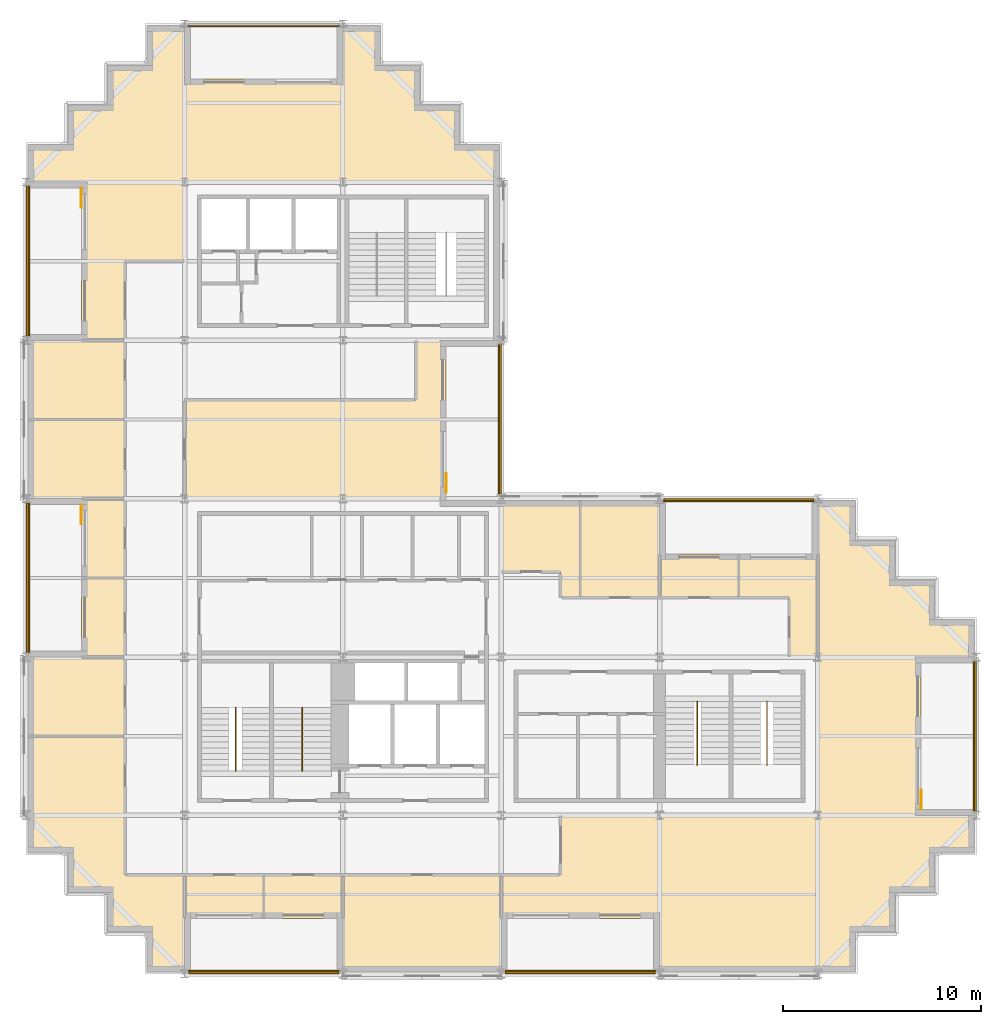
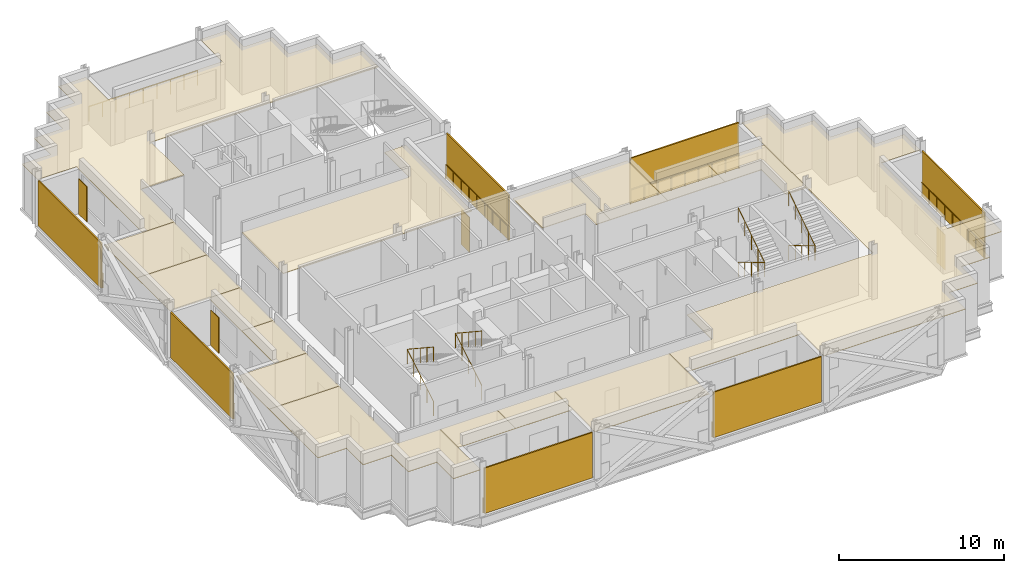
# One storey, part 10 of 11: 16 coverings, 12 railings, 11 shading devices.
"""IFC4 building model written with IfcOpenShell, lengths in metres."""

from ifc_helpers import new_model, si_unit, direction, frame, origin, origin_2d, place, context, subcontext, project, spatial, polyline, rectangle, circle, outline, extrude, material, layer, layer_set, type_object, element, save


model = new_model("IFC4")

# Units and contexts
model_context = context("Model", 3, precision=1e-05, world=origin(), true_north=direction((0.0, 1.0)))
body_context = subcontext(model_context, "Body", "Model", "MODEL_VIEW")
ifc_project = project(units=[si_unit("LENGTHUNIT", "METRE"), si_unit("AREAUNIT", "SQUARE_METRE"), si_unit("VOLUMEUNIT", "CUBIC_METRE"), si_unit("PLANEANGLEUNIT", "RADIAN"), si_unit("MASSUNIT", "GRAM", prefix="KILO")], contexts=[model_context])

# Site, building, storey
site_placement = place(None, origin())
site = spatial("IfcSite", under=ifc_project, at=site_placement, CompositionType="ELEMENT")
building_placement = place(site_placement, origin())
building = spatial("IfcBuilding", under=site, at=building_placement, Name="Immortelle Media Tower", CompositionType="ELEMENT")
storey_placement = place(building_placement, frame((0.0, 0.0, 141.0)))
storey = spatial("IfcBuildingStorey", under=building, at=storey_placement, Name="L28", CompositionType="ELEMENT", Elevation=141.0)

# Railings
ifc_material_1 = material(Name="Powder-coated aluminium fretwork panel, laminated glass backing", Category="aluminium")
railing_type_1 = type_object("IfcRailingType", Name="Fretwork balustrade 1100", PredefinedType="BALUSTRADE", material=ifc_material_1)
railing_1_placement = place(storey_placement, frame((8.20556640625, 0.139892578125, 0.0)))
element("IfcRailing", 1, at=railing_1_placement, inside=storey, type_object=railing_type_1, Name="Fretwork balustrade L28 S0", PredefinedType="BALUSTRADE", context=body_context, shape_type="SweptSolid", body=[
    extrude(circle(Radius=0.02490234375, at=origin_2d()), frame((0.0, 0.0, 1.0751953125), z_axis=(1.0, 0.0, 0.0), x_axis=(0.0, 1.0, 0.0)), (0.0, 0.0, 1.0), 7.58251953125),
    extrude(circle(Radius=0.02001953125, at=origin_2d()), origin(), (0.0, 0.0, 1.0), 1.050048828125),
    extrude(circle(Radius=0.02001953125, at=origin_2d()), frame((0.94775390625, 0.0, 0.0)), (0.0, 0.0, 1.0), 1.050048828125),
    extrude(circle(Radius=0.02001953125, at=origin_2d()), frame((1.8955078125, 0.0, 0.0)), (0.0, 0.0, 1.0), 1.050048828125),
    extrude(circle(Radius=0.02001953125, at=origin_2d()), frame((2.843505859375, 0.0, 0.0)), (0.0, 0.0, 1.0), 1.050048828125),
    extrude(circle(Radius=0.02001953125, at=origin_2d()), frame((3.791259765625, 0.0, 0.0)), (0.0, 0.0, 1.0), 1.050048828125),
    extrude(circle(Radius=0.02001953125, at=origin_2d()), frame((4.739013671875, 0.0, 0.0)), (0.0, 0.0, 1.0), 1.050048828125),
    extrude(circle(Radius=0.02001953125, at=origin_2d()), frame((5.68701171875, 0.0, 0.0)), (0.0, 0.0, 1.0), 1.050048828125),
    extrude(circle(Radius=0.02001953125, at=origin_2d()), frame((6.634765625, 0.0, 0.0)), (0.0, 0.0, 1.0), 1.050048828125),
    extrude(circle(Radius=0.02001953125, at=origin_2d()), frame((7.58251953125, 0.0, 0.0)), (0.0, 0.0, 1.0), 1.050048828125),
])
railing_2_placement = place(storey_placement, frame((24.2119140625, 0.139892578125, 0.0)))
element("IfcRailing", 2, at=railing_2_placement, inside=storey, type_object=railing_type_1, Name="Fretwork balustrade L28 S2", PredefinedType="BALUSTRADE", context=body_context, shape_type="SweptSolid", body=[
    extrude(circle(Radius=0.02490234375, at=origin_2d()), frame((0.0, 0.0, 1.0751953125), z_axis=(1.0, 0.0, 0.0), x_axis=(0.0, 1.0, 0.0)), (0.0, 0.0, 1.0), 7.576171875),
    extrude(circle(Radius=0.02001953125, at=origin_2d()), origin(), (0.0, 0.0, 1.0), 1.050048828125),
    extrude(circle(Radius=0.02001953125, at=origin_2d()), frame((0.947021484375, 0.0, 0.0)), (0.0, 0.0, 1.0), 1.050048828125),
    extrude(circle(Radius=0.02001953125, at=origin_2d()), frame((1.89404296875, 0.0, 0.0)), (0.0, 0.0, 1.0), 1.050048828125),
    extrude(circle(Radius=0.02001953125, at=origin_2d()), frame((2.841064453125, 0.0, 0.0)), (0.0, 0.0, 1.0), 1.050048828125),
    extrude(circle(Radius=0.02001953125, at=origin_2d()), frame((3.7880859375, 0.0, 0.0)), (0.0, 0.0, 1.0), 1.050048828125),
    extrude(circle(Radius=0.02001953125, at=origin_2d()), frame((4.735107421875, 0.0, 0.0)), (0.0, 0.0, 1.0), 1.050048828125),
    extrude(circle(Radius=0.02001953125, at=origin_2d()), frame((5.68212890625, 0.0, 0.0)), (0.0, 0.0, 1.0), 1.050048828125),
    extrude(circle(Radius=0.02001953125, at=origin_2d()), frame((6.629150390625, 0.0, 0.0)), (0.0, 0.0, 1.0), 1.050048828125),
    extrude(circle(Radius=0.02001953125, at=origin_2d()), frame((7.576171875, 0.0, 0.0)), (0.0, 0.0, 1.0), 1.050048828125),
])
railing_3_placement = place(storey_placement, frame((47.860107421875, 8.217041015625, 0.0)))
element("IfcRailing", 3, at=railing_3_placement, inside=storey, type_object=railing_type_1, Name="Fretwork balustrade L28 E0", PredefinedType="BALUSTRADE", context=body_context, shape_type="SweptSolid", body=[
    extrude(circle(Radius=0.02490234375, at=origin_2d()), frame((0.0, 0.0, 1.0751953125), z_axis=(0.0, 1.0, 0.0), x_axis=(-1.0, 0.0, 0.0)), (0.0, 0.0, 1.0), 7.56591796875),
    extrude(circle(Radius=0.02001953125, at=origin_2d()), origin(), (0.0, 0.0, 1.0), 1.050048828125),
    extrude(circle(Radius=0.02001953125, at=origin_2d()), frame((0.0, 0.94580078125, 0.0)), (0.0, 0.0, 1.0), 1.050048828125),
    extrude(circle(Radius=0.02001953125, at=origin_2d()), frame((0.0, 1.8916015625, 0.0)), (0.0, 0.0, 1.0), 1.050048828125),
    extrude(circle(Radius=0.02001953125, at=origin_2d()), frame((0.0, 2.837158203125, 0.0)), (0.0, 0.0, 1.0), 1.050048828125),
    extrude(circle(Radius=0.02001953125, at=origin_2d()), frame((0.0, 3.782958984375, 0.0)), (0.0, 0.0, 1.0), 1.050048828125),
    extrude(circle(Radius=0.02001953125, at=origin_2d()), frame((0.0, 4.728759765625, 0.0)), (0.0, 0.0, 1.0), 1.050048828125),
    extrude(circle(Radius=0.02001953125, at=origin_2d()), frame((0.0, 5.67431640625, 0.0)), (0.0, 0.0, 1.0), 1.050048828125),
    extrude(circle(Radius=0.02001953125, at=origin_2d()), frame((0.0, 6.6201171875, 0.0)), (0.0, 0.0, 1.0), 1.050048828125),
    extrude(circle(Radius=0.02001953125, at=origin_2d()), frame((0.0, 7.56591796875, 0.0)), (0.0, 0.0, 1.0), 1.050048828125),
])
railing_4_placement = place(storey_placement, frame((39.79443359375, 23.860107421875, 0.0)))
element("IfcRailing", 4, at=railing_4_placement, inside=storey, type_object=railing_type_1, Name="Fretwork balustrade L28 N0", PredefinedType="BALUSTRADE", context=body_context, shape_type="SweptSolid", body=[
    extrude(circle(Radius=0.02490234375, at=origin_2d()), frame((0.0, 0.0, 1.0751953125), z_axis=(-1.0, 0.0, 0.0), x_axis=(0.0, -1.0, 0.0)), (0.0, 0.0, 1.0), 7.58251953125),
    extrude(circle(Radius=0.02001953125, at=origin_2d()), origin(), (0.0, 0.0, 1.0), 1.050048828125),
    extrude(circle(Radius=0.02001953125, at=origin_2d()), frame((-0.94775390625, 0.0, 0.0)), (0.0, 0.0, 1.0), 1.050048828125),
    extrude(circle(Radius=0.02001953125, at=origin_2d()), frame((-1.8955078125, 0.0, 0.0)), (0.0, 0.0, 1.0), 1.050048828125),
    extrude(circle(Radius=0.02001953125, at=origin_2d()), frame((-2.843505859375, 0.0, 0.0)), (0.0, 0.0, 1.0), 1.050048828125),
    extrude(circle(Radius=0.02001953125, at=origin_2d()), frame((-3.791259765625, 0.0, 0.0)), (0.0, 0.0, 1.0), 1.050048828125),
    extrude(circle(Radius=0.02001953125, at=origin_2d()), frame((-4.739013671875, 0.0, 0.0)), (0.0, 0.0, 1.0), 1.050048828125),
    extrude(circle(Radius=0.02001953125, at=origin_2d()), frame((-5.68701171875, 0.0, 0.0)), (0.0, 0.0, 1.0), 1.050048828125),
    extrude(circle(Radius=0.02001953125, at=origin_2d()), frame((-6.634765625, 0.0, 0.0)), (0.0, 0.0, 1.0), 1.050048828125),
    extrude(circle(Radius=0.02001953125, at=origin_2d()), frame((-7.58251953125, 0.0, 0.0)), (0.0, 0.0, 1.0), 1.050048828125),
])
railing_5_placement = place(storey_placement, frame((23.860107421875, 24.237548828125, 0.0)))
element("IfcRailing", 5, at=railing_5_placement, inside=storey, type_object=railing_type_1, Name="Fretwork balustrade L28 E0", PredefinedType="BALUSTRADE", context=body_context, shape_type="SweptSolid", body=[
    extrude(circle(Radius=0.02490234375, at=origin_2d()), frame((0.0, 0.0, 1.0751953125), z_axis=(0.0, 1.0, 0.0), x_axis=(-1.0, 0.0, 0.0)), (0.0, 0.0, 1.0), 7.56298828125),
    extrude(circle(Radius=0.02001953125, at=origin_2d()), origin(), (0.0, 0.0, 1.0), 1.050048828125),
    extrude(circle(Radius=0.02001953125, at=origin_2d()), frame((0.0, 0.9453125, 0.0)), (0.0, 0.0, 1.0), 1.050048828125),
    extrude(circle(Radius=0.02001953125, at=origin_2d()), frame((0.0, 1.890625, 0.0)), (0.0, 0.0, 1.0), 1.050048828125),
    extrude(circle(Radius=0.02001953125, at=origin_2d()), frame((0.0, 2.836181640625, 0.0)), (0.0, 0.0, 1.0), 1.050048828125),
    extrude(circle(Radius=0.02001953125, at=origin_2d()), frame((0.0, 3.781494140625, 0.0)), (0.0, 0.0, 1.0), 1.050048828125),
    extrude(circle(Radius=0.02001953125, at=origin_2d()), frame((0.0, 4.726806640625, 0.0)), (0.0, 0.0, 1.0), 1.050048828125),
    extrude(circle(Radius=0.02001953125, at=origin_2d()), frame((0.0, 5.67236328125, 0.0)), (0.0, 0.0, 1.0), 1.050048828125),
    extrude(circle(Radius=0.02001953125, at=origin_2d()), frame((0.0, 6.61767578125, 0.0)), (0.0, 0.0, 1.0), 1.050048828125),
    extrude(circle(Radius=0.02001953125, at=origin_2d()), frame((0.0, 7.56298828125, 0.0)), (0.0, 0.0, 1.0), 1.050048828125),
])
railing_6_placement = place(storey_placement, frame((15.802978515625, 47.860107421875, 0.0)))
element("IfcRailing", 6, at=railing_6_placement, inside=storey, type_object=railing_type_1, Name="Fretwork balustrade L28 N0", PredefinedType="BALUSTRADE", context=body_context, shape_type="SweptSolid", body=[
    extrude(circle(Radius=0.02490234375, at=origin_2d()), frame((0.0, 0.0, 1.0751953125), z_axis=(-1.0, 0.0, 0.0), x_axis=(0.0, -1.0, 0.0)), (0.0, 0.0, 1.0), 7.60595703125),
    extrude(circle(Radius=0.02001953125, at=origin_2d()), origin(), (0.0, 0.0, 1.0), 1.050048828125),
    extrude(circle(Radius=0.02001953125, at=origin_2d()), frame((-0.95068359375, 0.0, 0.0)), (0.0, 0.0, 1.0), 1.050048828125),
    extrude(circle(Radius=0.02001953125, at=origin_2d()), frame((-1.9013671875, 0.0, 0.0)), (0.0, 0.0, 1.0), 1.050048828125),
    extrude(circle(Radius=0.02001953125, at=origin_2d()), frame((-2.852294921875, 0.0, 0.0)), (0.0, 0.0, 1.0), 1.050048828125),
    extrude(circle(Radius=0.02001953125, at=origin_2d()), frame((-3.802978515625, 0.0, 0.0)), (0.0, 0.0, 1.0), 1.050048828125),
    extrude(circle(Radius=0.02001953125, at=origin_2d()), frame((-4.753662109375, 0.0, 0.0)), (0.0, 0.0, 1.0), 1.050048828125),
    extrude(circle(Radius=0.02001953125, at=origin_2d()), frame((-5.70458984375, 0.0, 0.0)), (0.0, 0.0, 1.0), 1.050048828125),
    extrude(circle(Radius=0.02001953125, at=origin_2d()), frame((-6.6552734375, 0.0, 0.0)), (0.0, 0.0, 1.0), 1.050048828125),
    extrude(circle(Radius=0.02001953125, at=origin_2d()), frame((-7.60595703125, 0.0, 0.0)), (0.0, 0.0, 1.0), 1.050048828125),
])
railing_7_placement = place(storey_placement, frame((0.139892578125, 39.81201171875, 0.0)))
element("IfcRailing", 7, at=railing_7_placement, inside=storey, type_object=railing_type_1, Name="Fretwork balustrade L28 W0", PredefinedType="BALUSTRADE", context=body_context, shape_type="SweptSolid", body=[
    extrude(circle(Radius=0.02490234375, at=origin_2d()), frame((0.0, 0.0, 1.0751953125), z_axis=(0.0, -1.0, 0.0), x_axis=(1.0, 0.0, 0.0)), (0.0, 0.0, 1.0), 7.612548828125),
    extrude(circle(Radius=0.02001953125, at=origin_2d()), origin(), (0.0, 0.0, 1.0), 1.050048828125),
    extrude(circle(Radius=0.02001953125, at=origin_2d()), frame((0.0, -0.95166015625, 0.0)), (0.0, 0.0, 1.0), 1.050048828125),
    extrude(circle(Radius=0.02001953125, at=origin_2d()), frame((0.0, -1.903076171875, 0.0)), (0.0, 0.0, 1.0), 1.050048828125),
    extrude(circle(Radius=0.02001953125, at=origin_2d()), frame((0.0, -2.854736328125, 0.0)), (0.0, 0.0, 1.0), 1.050048828125),
    extrude(circle(Radius=0.02001953125, at=origin_2d()), frame((0.0, -3.80615234375, 0.0)), (0.0, 0.0, 1.0), 1.050048828125),
    extrude(circle(Radius=0.02001953125, at=origin_2d()), frame((0.0, -4.7578125, 0.0)), (0.0, 0.0, 1.0), 1.050048828125),
    extrude(circle(Radius=0.02001953125, at=origin_2d()), frame((0.0, -5.70947265625, 0.0)), (0.0, 0.0, 1.0), 1.050048828125),
    extrude(circle(Radius=0.02001953125, at=origin_2d()), frame((0.0, -6.660888671875, 0.0)), (0.0, 0.0, 1.0), 1.050048828125),
    extrude(circle(Radius=0.02001953125, at=origin_2d()), frame((0.0, -7.612548828125, 0.0)), (0.0, 0.0, 1.0), 1.050048828125),
])
railing_8_placement = place(storey_placement, frame((0.139892578125, 23.800537109375, 0.0)))
element("IfcRailing", 8, at=railing_8_placement, inside=storey, type_object=railing_type_1, Name="Fretwork balustrade L28 W2", PredefinedType="BALUSTRADE", context=body_context, shape_type="SweptSolid", body=[
    extrude(circle(Radius=0.02490234375, at=origin_2d()), frame((0.0, 0.0, 1.0751953125), z_axis=(0.0, -1.0, 0.0), x_axis=(1.0, 0.0, 0.0)), (0.0, 0.0, 1.0), 7.56298828125),
    extrude(circle(Radius=0.02001953125, at=origin_2d()), origin(), (0.0, 0.0, 1.0), 1.050048828125),
    extrude(circle(Radius=0.02001953125, at=origin_2d()), frame((0.0, -0.9453125, 0.0)), (0.0, 0.0, 1.0), 1.050048828125),
    extrude(circle(Radius=0.02001953125, at=origin_2d()), frame((0.0, -1.890625, 0.0)), (0.0, 0.0, 1.0), 1.050048828125),
    extrude(circle(Radius=0.02001953125, at=origin_2d()), frame((0.0, -2.836181640625, 0.0)), (0.0, 0.0, 1.0), 1.050048828125),
    extrude(circle(Radius=0.02001953125, at=origin_2d()), frame((0.0, -3.781494140625, 0.0)), (0.0, 0.0, 1.0), 1.050048828125),
    extrude(circle(Radius=0.02001953125, at=origin_2d()), frame((0.0, -4.726806640625, 0.0)), (0.0, 0.0, 1.0), 1.050048828125),
    extrude(circle(Radius=0.02001953125, at=origin_2d()), frame((0.0, -5.67236328125, 0.0)), (0.0, 0.0, 1.0), 1.050048828125),
    extrude(circle(Radius=0.02001953125, at=origin_2d()), frame((0.0, -6.61767578125, 0.0)), (0.0, 0.0, 1.0), 1.050048828125),
    extrude(circle(Radius=0.02001953125, at=origin_2d()), frame((0.0, -7.56298828125, 0.0)), (0.0, 0.0, 1.0), 1.050048828125),
])

# Shading devices
ifc_material_2 = material(Name="Pale aluminium louvre blades", Category="aluminium")
ifc_layer_1 = layer(ifc_material_2, 0.10009765625)
ifc_layer_set_1 = layer_set([ifc_layer_1], Name="Pale aluminium louvre blades")
shading_device_type_1 = type_object("IfcShadingDeviceType", Name="Jalousie screen 100", PredefinedType="JALOUSIE", material=ifc_layer_set_1)
shading_device_1_placement = place(storey_placement, frame((11.996826171875, 0.050048828125, 0.0), z_axis=(0.0, 0.0, 1.0), x_axis=(1.0, 0.0, 0.0)))
element("IfcShadingDevice", 9, at=shading_device_1_placement, inside=storey, type_object=shading_device_type_1, Name="Jalousie screen L28 S0", PredefinedType="JALOUSIE", context=body_context, shape_type="SweptSolid", body=[
    extrude(rectangle(XDim=7.58251953125, YDim=0.10009765625, at=origin_2d()), origin(), (0.0, 0.0, 1.0), 3.35693359375),
])
shading_device_2_placement = place(storey_placement, frame((28.0, 0.050048828125, 0.0), z_axis=(0.0, 0.0, 1.0), x_axis=(1.0, 0.0, 0.0)))
element("IfcShadingDevice", 10, at=shading_device_2_placement, inside=storey, type_object=shading_device_type_1, Name="Jalousie screen L28 S2", PredefinedType="JALOUSIE", context=body_context, shape_type="SweptSolid", body=[
    extrude(rectangle(XDim=7.575927734375, YDim=0.10009765625, at=origin_2d()), origin(), (0.0, 0.0, 1.0), 3.35693359375),
])
shading_device_3_placement = place(storey_placement, frame((47.949951171875, 12.0, 0.0), z_axis=(0.0, 0.0, 1.0), x_axis=(0.0, 1.0, 0.0)))
element("IfcShadingDevice", 11, at=shading_device_3_placement, inside=storey, type_object=shading_device_type_1, Name="Jalousie screen L28 E0", PredefinedType="JALOUSIE", context=body_context, shape_type="SweptSolid", body=[
    extrude(rectangle(XDim=7.56591796875, YDim=0.10009765625, at=origin_2d()), origin(), (0.0, 0.0, 1.0), 3.35693359375),
])
shading_device_4_placement = place(storey_placement, frame((36.003173828125, 23.949951171875, 0.0), z_axis=(0.0, 0.0, 1.0), x_axis=(-1.0, 0.0, 0.0)))
element("IfcShadingDevice", 12, at=shading_device_4_placement, inside=storey, type_object=shading_device_type_1, Name="Jalousie screen L28 N0", PredefinedType="JALOUSIE", context=body_context, shape_type="SweptSolid", body=[
    extrude(rectangle(XDim=7.58251953125, YDim=0.10009765625, at=origin_2d()), origin(), (0.0, 0.0, 1.0), 3.35693359375),
])
shading_device_5_placement = place(storey_placement, frame((23.949951171875, 28.01904296875, 0.0), z_axis=(0.0, 0.0, 1.0), x_axis=(0.0, 1.0, 0.0)))
element("IfcShadingDevice", 13, at=shading_device_5_placement, inside=storey, type_object=shading_device_type_1, Name="Jalousie screen L28 E0", PredefinedType="JALOUSIE", context=body_context, shape_type="SweptSolid", body=[
    extrude(rectangle(XDim=7.56298828125, YDim=0.10009765625, at=origin_2d()), origin(), (0.0, 0.0, 1.0), 3.35693359375),
])
shading_device_6_placement = place(storey_placement, frame((0.050048828125, 36.005859375, 0.0), z_axis=(0.0, 0.0, 1.0), x_axis=(0.0, -1.0, 0.0)))
element("IfcShadingDevice", 14, at=shading_device_6_placement, inside=storey, type_object=shading_device_type_1, Name="Jalousie screen L28 W0", PredefinedType="JALOUSIE", context=body_context, shape_type="SweptSolid", body=[
    extrude(rectangle(XDim=7.612548828125, YDim=0.10009765625, at=origin_2d()), origin(), (0.0, 0.0, 1.0), 3.35693359375),
])
shading_device_7_placement = place(storey_placement, frame((0.050048828125, 20.01904296875, 0.0), z_axis=(0.0, 0.0, 1.0), x_axis=(0.0, -1.0, 0.0)))
element("IfcShadingDevice", 15, at=shading_device_7_placement, inside=storey, type_object=shading_device_type_1, Name="Jalousie screen L28 W2", PredefinedType="JALOUSIE", context=body_context, shape_type="SweptSolid", body=[
    extrude(rectangle(XDim=7.56298828125, YDim=0.10009765625, at=origin_2d()), origin(), (0.0, 0.0, 1.0), 3.35693359375),
])
ifc_material_3 = material(Name="Pale aluminium louvre blades in a folding frame", Category="aluminium")
ifc_layer_2 = layer(ifc_material_3, 0.050048828125)
ifc_layer_set_2 = layer_set([ifc_layer_2], Name="Pale aluminium louvre blades in a folding frame")
shading_device_type_2 = type_object("IfcShadingDeviceType", Name="Louvred loggia shutter", PredefinedType="SHUTTER", material=ifc_layer_set_2)
for number, where, z_axis, x_axis, name in (
    (16, (45.22509765625, 8.800048828125, 0.0), (0.0, 0.0, 1.0), (0.0, 1.0, 0.0), "Loggia shutter L28 E0"),
    (17, (21.22509765625, 24.800048828125, 0.0), (0.0, 0.0, 1.0), (0.0, 1.0, 0.0), "Loggia shutter L28 E0"),
    (18, (2.77490234375, 39.199951171875, 0.0), (0.0, 0.0, 1.0), (0.0, -1.0, 0.0), "Loggia shutter L28 W0"),
    (19, (2.77490234375, 23.199951171875, 0.0), (0.0, 0.0, 1.0), (0.0, -1.0, 0.0), "Loggia shutter L28 W2"),
):
    element("IfcShadingDevice", number, at=place(storey_placement, frame(where, z_axis=z_axis, x_axis=x_axis)), inside=storey, type_object=shading_device_type_2, Name=name, PredefinedType="SHUTTER", context=body_context, shape_type="SweptSolid", body=[
        extrude(rectangle(XDim=1.0, YDim=0.050048828125, at=origin_2d()), origin(), (0.0, 0.0, 1.0), 2.60009765625),
    ])

# Railings
ifc_material_4 = material(Name="Stainless steel AISI 316", Category="steel")
railing_type_2 = type_object("IfcRailingType", Name="Stair guard 1100", PredefinedType="GUARDRAIL", material=ifc_material_4)
for number, where, name in (
    (20, (10.574951171875, 10.25, 0.175048828125), "Stair guard SW1"),
    (21, (13.949951171875, 10.25, 0.175048828125), "Stair guard SW2"),
):
    element("IfcRailing", number, at=place(storey_placement, frame(where)), inside=storey, type_object=railing_type_2, Name=name, PredefinedType="GUARDRAIL", context=body_context, shape_type="SweptSolid", body=[
        extrude(circle(Radius=0.02392578125, at=origin_2d()), frame((0.0, 0.0, 1.076171875), z_axis=(0.0, 0.856177665481, 0.516681531633), x_axis=(-1.0, 0.0, 0.0)), (0.0, 0.0, 1.0), 3.725830078125),
        extrude(circle(Radius=0.02392578125, at=origin_2d()), frame((0.0, 3.18994140625, 3.0009765625), z_axis=(0.0, -0.835271834381, 0.549837214719), x_axis=(1.0, 0.0, 0.0)), (0.0, 0.0, 1.0), 3.819091796875),
        extrude(circle(Radius=0.02099609375, at=origin_2d()), origin(), (0.0, 0.0, 1.0), 1.052001953125),
        extrude(circle(Radius=0.02099609375, at=origin_2d()), frame((0.0, 0.79736328125, 0.481201171875)), (0.0, 0.0, 1.0), 1.052001953125),
        extrude(circle(Radius=0.02099609375, at=origin_2d()), frame((0.0, 1.594970703125, 0.96240234375)), (0.0, 0.0, 1.0), 1.052001953125),
        extrude(circle(Radius=0.02099609375, at=origin_2d()), frame((0.0, 2.392578125, 1.44384765625)), (0.0, 0.0, 1.0), 1.052001953125),
        extrude(circle(Radius=0.02099609375, at=origin_2d()), frame((0.0, 3.18994140625, 1.925048828125)), (0.0, 0.0, 1.0), 1.052001953125),
        extrude(circle(Radius=0.02099609375, at=origin_2d()), frame((0.0, 2.392578125, 2.449951171875)), (0.0, 0.0, 1.0), 1.052001953125),
        extrude(circle(Radius=0.02099609375, at=origin_2d()), frame((0.0, 1.594970703125, 2.97509765625)), (0.0, 0.0, 1.0), 1.052001953125),
        extrude(circle(Radius=0.02099609375, at=origin_2d()), frame((0.0, 0.79736328125, 3.5)), (0.0, 0.0, 1.0), 1.052001953125),
        extrude(circle(Radius=0.02099609375, at=origin_2d()), frame((0.0, 0.0, 4.02490234375)), (0.0, 0.0, 1.0), 1.052001953125),
    ])
for number, where, name in (
    (22, (33.89990234375, 13.75, 0.175048828125), "Stair guard SE1"),
    (23, (37.425048828125, 13.75, 0.175048828125), "Stair guard SE2"),
):
    element("IfcRailing", number, at=place(storey_placement, frame(where)), inside=storey, type_object=railing_type_2, Name=name, PredefinedType="GUARDRAIL", context=body_context, shape_type="SweptSolid", body=[
        extrude(circle(Radius=0.02392578125, at=origin_2d()), frame((0.0, 0.0, 1.076171875), z_axis=(0.0, -0.856177665481, 0.516681531633), x_axis=(1.0, 0.0, 0.0)), (0.0, 0.0, 1.0), 3.725830078125),
        extrude(circle(Radius=0.02392578125, at=origin_2d()), frame((0.0, -3.18994140625, 3.0009765625), z_axis=(0.0, 0.835271834381, 0.549837214719), x_axis=(-1.0, 0.0, 0.0)), (0.0, 0.0, 1.0), 3.819091796875),
        extrude(circle(Radius=0.02099609375, at=origin_2d()), origin(), (0.0, 0.0, 1.0), 1.052001953125),
        extrude(circle(Radius=0.02099609375, at=origin_2d()), frame((0.0, -0.79736328125, 0.481201171875)), (0.0, 0.0, 1.0), 1.052001953125),
        extrude(circle(Radius=0.02099609375, at=origin_2d()), frame((0.0, -1.594970703125, 0.96240234375)), (0.0, 0.0, 1.0), 1.052001953125),
        extrude(circle(Radius=0.02099609375, at=origin_2d()), frame((0.0, -2.392578125, 1.44384765625)), (0.0, 0.0, 1.0), 1.052001953125),
        extrude(circle(Radius=0.02099609375, at=origin_2d()), frame((0.0, -3.18994140625, 1.925048828125)), (0.0, 0.0, 1.0), 1.052001953125),
        extrude(circle(Radius=0.02099609375, at=origin_2d()), frame((0.0, -2.392578125, 2.449951171875)), (0.0, 0.0, 1.0), 1.052001953125),
        extrude(circle(Radius=0.02099609375, at=origin_2d()), frame((0.0, -1.594970703125, 2.97509765625)), (0.0, 0.0, 1.0), 1.052001953125),
        extrude(circle(Radius=0.02099609375, at=origin_2d()), frame((0.0, -0.79736328125, 3.5)), (0.0, 0.0, 1.0), 1.052001953125),
        extrude(circle(Radius=0.02099609375, at=origin_2d()), frame((0.0, 0.0, 4.02490234375)), (0.0, 0.0, 1.0), 1.052001953125),
    ])

# Coverings
ifc_material_5 = material(Name="Mineral fibre tile ceiling")
ifc_layer_3 = layer(ifc_material_5, 0.050048828125)
ifc_layer_set_3 = layer_set([ifc_layer_3], Name="Mineral fibre tile ceiling")
covering_type = type_object("IfcCoveringType", Name="Suspended ceiling 50", PredefinedType="CEILING", material=ifc_layer_set_3)
covering_1_placement = place(storey_placement, frame((0.0, 0.0, 3.238037109375)))
element("IfcCovering", 24, at=covering_1_placement, inside=storey, type_object=covering_type, Name="Ceiling L28-001", PredefinedType="CEILING", context=body_context, shape_type="SweptSolid", body=[
    extrude(outline(polyline([(16.0, 0.10009765625), (16.0, 2.800048828125), (16.0, 5.0), (24.0, 5.0), (24.0, 2.800048828125), (24.0, 0.10009765625), (16.0, 0.10009765625)])), origin(), (0.0, 0.0, 1.0), 0.050048828125),
])
covering_2_placement = place(storey_placement, frame((0.0, 0.0, 3.238037109375)))
element("IfcCovering", 25, at=covering_2_placement, inside=storey, type_object=covering_type, Name="Ceiling L28-002", PredefinedType="CEILING", context=body_context, shape_type="SweptSolid", body=[
    extrude(outline(polyline([(8.0, 5.0), (12.0, 5.0), (12.0, 2.800048828125), (8.0, 2.800048828125), (8.0, 5.0)])), origin(), (0.0, 0.0, 1.0), 0.050048828125),
])
covering_3_placement = place(storey_placement, frame((0.0, 0.0, 3.238037109375)))
element("IfcCovering", 26, at=covering_3_placement, inside=storey, type_object=covering_type, Name="Ceiling L28-003", PredefinedType="CEILING", context=body_context, shape_type="SweptSolid", body=[
    extrude(outline(polyline([(16.0, 5.0), (16.0, 2.800048828125), (12.0, 2.800048828125), (12.0, 5.0), (16.0, 5.0)])), origin(), (0.0, 0.0, 1.0), 0.050048828125),
])
covering_4_placement = place(storey_placement, frame((0.0, 0.0, 3.238037109375)))
element("IfcCovering", 27, at=covering_4_placement, inside=storey, type_object=covering_type, Name="Ceiling L28-004", PredefinedType="CEILING", context=body_context, shape_type="SweptSolid", body=[
    extrude(outline(polyline([(27.0, 5.0), (27.0, 8.0), (32.0, 8.0), (40.0, 8.0), (40.0, 16.0), (40.0, 21.199951171875), (40.0, 23.89990234375), (41.89990234375, 23.89990234375), (41.89990234375, 21.89990234375), (43.89990234375, 21.89990234375), (43.89990234375, 19.89990234375), (45.89990234375, 19.89990234375), (45.89990234375, 17.89990234375), (47.89990234375, 17.89990234375), (47.89990234375, 16.0), (45.199951171875, 16.0), (45.199951171875, 8.0), (47.89990234375, 8.0), (47.89990234375, 6.10009765625), (45.89990234375, 6.10009765625), (45.89990234375, 4.10009765625), (43.89990234375, 4.10009765625), (43.89990234375, 2.10009765625), (41.89990234375, 2.10009765625), (41.89990234375, 0.10009765625), (40.0, 0.10009765625), (32.0, 0.10009765625), (32.0, 2.800048828125), (24.0, 2.800048828125), (24.0, 5.0), (27.0, 5.0)])), origin(), (0.0, 0.0, 1.0), 0.050048828125),
])
covering_5_placement = place(storey_placement, frame((0.0, 0.0, 3.238037109375)))
element("IfcCovering", 28, at=covering_5_placement, inside=storey, type_object=covering_type, Name="Ceiling L28-005", PredefinedType="CEILING", context=body_context, shape_type="SweptSolid", body=[
    extrude(outline(polyline([(4.10009765625, 2.10009765625), (4.10009765625, 4.10009765625), (2.10009765625, 4.10009765625), (2.10009765625, 6.10009765625), (0.10009765625, 6.10009765625), (0.10009765625, 8.0), (0.10009765625, 12.0), (5.0, 12.0), (5.0, 8.0), (5.0, 5.0), (8.0, 5.0), (8.0, 2.800048828125), (8.0, 0.10009765625), (6.10009765625, 0.10009765625), (6.10009765625, 2.10009765625), (4.10009765625, 2.10009765625)])), origin(), (0.0, 0.0, 1.0), 0.050048828125),
])
covering_6_placement = place(storey_placement, frame((0.0, 0.0, 3.238037109375)))
element("IfcCovering", 29, at=covering_6_placement, inside=storey, type_object=covering_type, Name="Ceiling L28-006", PredefinedType="CEILING", context=body_context, shape_type="SweptSolid", body=[
    extrude(outline(polyline([(0.10009765625, 16.0), (2.800048828125, 16.0), (5.0, 16.0), (5.0, 12.0), (0.10009765625, 12.0), (0.10009765625, 16.0)])), origin(), (0.0, 0.0, 1.0), 0.050048828125),
])
covering_7_placement = place(storey_placement, frame((0.0, 0.0, 3.238037109375)))
element("IfcCovering", 30, at=covering_7_placement, inside=storey, type_object=covering_type, Name="Ceiling L28-007", PredefinedType="CEILING", context=body_context, shape_type="SweptSolid", body=[
    extrude(outline(polyline([(32.0, 19.0), (32.0, 21.199951171875), (36.0, 21.199951171875), (36.0, 19.0), (32.0, 19.0)])), origin(), (0.0, 0.0, 1.0), 0.050048828125),
])
covering_8_placement = place(storey_placement, frame((0.0, 0.0, 3.238037109375)))
element("IfcCovering", 31, at=covering_8_placement, inside=storey, type_object=covering_type, Name="Ceiling L28-008", PredefinedType="CEILING", context=body_context, shape_type="SweptSolid", body=[
    extrude(outline(polyline([(38.550048828125, 19.0), (36.0, 19.0), (36.0, 21.199951171875), (40.0, 21.199951171875), (40.0, 16.0), (38.550048828125, 16.0), (38.550048828125, 19.0)])), origin(), (0.0, 0.0, 1.0), 0.050048828125),
])
covering_9_placement = place(storey_placement, frame((0.0, 0.0, 3.238037109375)))
element("IfcCovering", 32, at=covering_9_placement, inside=storey, type_object=covering_type, Name="Ceiling L28-009", PredefinedType="CEILING", context=body_context, shape_type="SweptSolid", body=[
    extrude(outline(polyline([(5.0, 16.0), (2.800048828125, 16.0), (2.800048828125, 20.0), (5.0, 20.0), (5.0, 19.449951171875), (5.0, 16.0)])), origin(), (0.0, 0.0, 1.0), 0.050048828125),
])
covering_10_placement = place(storey_placement, frame((0.0, 0.0, 3.238037109375)))
element("IfcCovering", 33, at=covering_10_placement, inside=storey, type_object=covering_type, Name="Ceiling L28-010", PredefinedType="CEILING", context=body_context, shape_type="SweptSolid", body=[
    extrude(outline(polyline([(2.800048828125, 24.0), (5.0, 24.0), (5.0, 20.0), (2.800048828125, 20.0), (2.800048828125, 24.0)])), origin(), (0.0, 0.0, 1.0), 0.050048828125),
])
covering_11_placement = place(storey_placement, frame((0.0, 0.0, 3.238037109375)))
element("IfcCovering", 34, at=covering_11_placement, inside=storey, type_object=covering_type, Name="Ceiling L28-011", PredefinedType="CEILING", context=body_context, shape_type="SweptSolid", body=[
    extrude(outline(polyline([(27.0, 20.300048828125), (24.0, 20.300048828125), (24.0, 23.89990234375), (28.0, 23.89990234375), (28.0, 19.0), (27.0, 19.0), (27.0, 20.300048828125)])), origin(), (0.0, 0.0, 1.0), 0.050048828125),
])
covering_12_placement = place(storey_placement, frame((0.0, 0.0, 3.238037109375)))
element("IfcCovering", 35, at=covering_12_placement, inside=storey, type_object=covering_type, Name="Ceiling L28-012", PredefinedType="CEILING", context=body_context, shape_type="SweptSolid", body=[
    extrude(outline(polyline([(32.0, 23.89990234375), (32.0, 21.199951171875), (32.0, 19.0), (28.0, 19.0), (28.0, 23.89990234375), (32.0, 23.89990234375)])), origin(), (0.0, 0.0, 1.0), 0.050048828125),
])
covering_13_placement = place(storey_placement, frame((0.0, 0.0, 3.238037109375)))
element("IfcCovering", 36, at=covering_13_placement, inside=storey, type_object=covering_type, Name="Ceiling L28-013", PredefinedType="CEILING", context=body_context, shape_type="SweptSolid", body=[
    extrude(outline(polyline([(8.0, 29.0), (12.199951171875, 29.0), (12.39990234375, 29.0), (16.0, 29.0), (19.699951171875, 29.0), (19.699951171875, 32.0), (21.199951171875, 32.0), (21.199951171875, 24.0), (16.0, 24.0), (8.0, 24.0), (8.0, 29.0)])), origin(), (0.0, 0.0, 1.0), 0.050048828125),
])
covering_14_placement = place(storey_placement, frame((0.0, 0.0, 3.238037109375)))
element("IfcCovering", 37, at=covering_14_placement, inside=storey, type_object=covering_type, Name="Ceiling L28-014", PredefinedType="CEILING", context=body_context, shape_type="SweptSolid", body=[
    extrude(outline(polyline([(5.0, 24.0), (2.800048828125, 24.0), (0.10009765625, 24.0), (0.10009765625, 28.0), (5.0, 28.0), (5.0, 24.0)])), origin(), (0.0, 0.0, 1.0), 0.050048828125),
])
covering_15_placement = place(storey_placement, frame((0.0, 0.0, 3.238037109375)))
element("IfcCovering", 38, at=covering_15_placement, inside=storey, type_object=covering_type, Name="Ceiling L28-015", PredefinedType="CEILING", context=body_context, shape_type="SweptSolid", body=[
    extrude(outline(polyline([(5.0, 28.0), (0.10009765625, 28.0), (0.10009765625, 32.0), (2.800048828125, 32.0), (5.0, 32.0), (5.0, 29.0), (5.0, 28.0)])), origin(), (0.0, 0.0, 1.0), 0.050048828125),
])
covering_16_placement = place(storey_placement, frame((0.0, 0.0, 3.238037109375)))
element("IfcCovering", 39, at=covering_16_placement, inside=storey, type_object=covering_type, Name="Ceiling L28-016", PredefinedType="CEILING", context=body_context, shape_type="SweptSolid", body=[
    extrude(outline(polyline([(2.800048828125, 40.0), (0.10009765625, 40.0), (0.10009765625, 41.89990234375), (2.10009765625, 41.89990234375), (2.10009765625, 43.89990234375), (4.10009765625, 43.89990234375), (4.10009765625, 45.89990234375), (6.10009765625, 45.89990234375), (6.10009765625, 47.89990234375), (8.0, 47.89990234375), (8.0, 45.199951171875), (16.0, 45.199951171875), (16.0, 47.89990234375), (17.89990234375, 47.89990234375), (17.89990234375, 45.89990234375), (19.89990234375, 45.89990234375), (19.89990234375, 43.89990234375), (21.89990234375, 43.89990234375), (21.89990234375, 41.89990234375), (23.89990234375, 41.89990234375), (23.89990234375, 40.0), (16.0, 40.0), (8.0, 40.0), (8.0, 36.0), (5.0, 36.0), (5.0, 32.0), (2.800048828125, 32.0), (2.800048828125, 40.0)])), origin(), (0.0, 0.0, 1.0), 0.050048828125),
])

save(model, "model.ifc")
